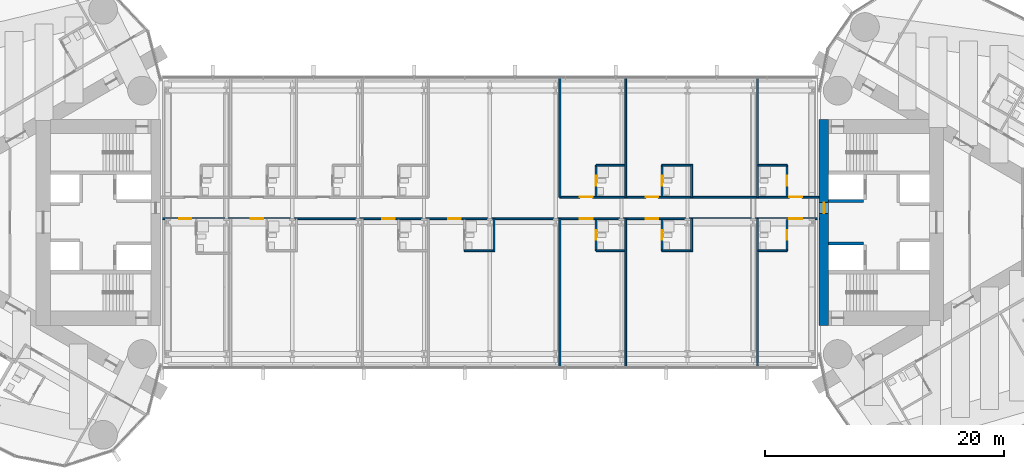
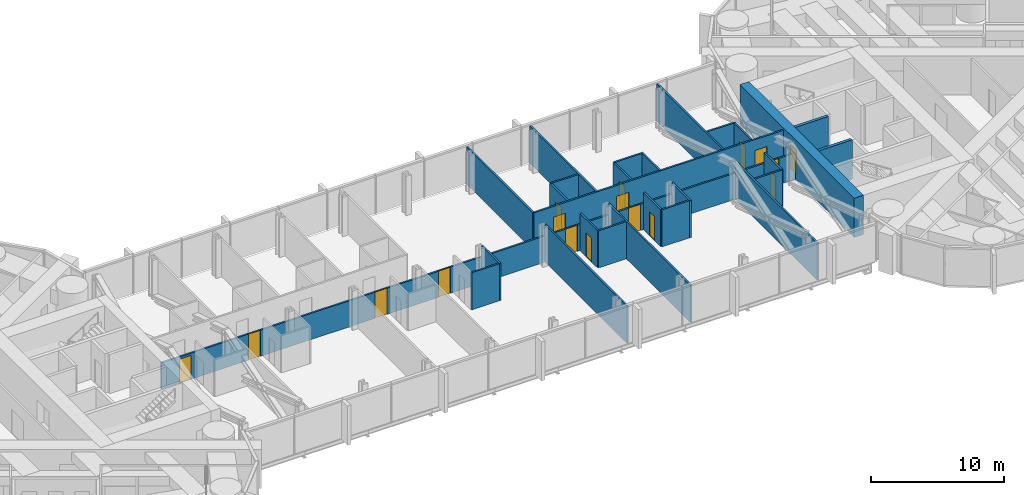
# One storey, part 17 of 22: 27 walls, 17 doors, 17 openings.
"""IFC4 building model written with IfcOpenShell, lengths in metres."""

from ifc_helpers import new_model, si_unit, direction, frame, frame_2d, origin, place, context, subcontext, project, spatial, rectangle, extrude, material, layer, layer_set, type_object, element, fill, save


model = new_model("IFC4")

# Units and contexts
model_context = context("Model", 3, precision=1e-05, world=origin(), true_north=direction((0.0, 1.0)))
body_context = subcontext(model_context, "Body", "Model", "MODEL_VIEW")
ifc_project = project(units=[si_unit("LENGTHUNIT", "METRE"), si_unit("AREAUNIT", "SQUARE_METRE"), si_unit("VOLUMEUNIT", "CUBIC_METRE"), si_unit("PLANEANGLEUNIT", "RADIAN"), si_unit("MASSUNIT", "GRAM", prefix="KILO")], contexts=[model_context])

# Site, building, storey
site_placement = place(None, origin())
site = spatial("IfcSite", under=ifc_project, at=site_placement, CompositionType="ELEMENT")
building_placement = place(site_placement, origin())
building = spatial("IfcBuilding", under=site, at=building_placement, Name="Lancet Gate Hotel", CompositionType="ELEMENT")
storey_placement = place(building_placement, frame((0.0, 0.0, 229.699951171875)))
storey = spatial("IfcBuildingStorey", under=building, at=storey_placement, Name="L61", CompositionType="ELEMENT", Elevation=229.699951171875)

# Walls
ifc_material_1 = material(Name="Moisture resistant board partition")
ifc_layer_1 = layer(ifc_material_1, 0.14990234375)
ifc_layer_set_1 = layer_set([ifc_layer_1], Name="Bathroom wall 150")
wall_type_1 = type_object("IfcWallType", Name="Bathroom wall 150", PredefinedType="PARTITIONING", material=ifc_layer_set_1)
for number, where, z_axis, x_axis, name in (
    (1, (-2.125, -2.375, 0.0), (0.0, 0.0, 1.0), (1.0, 0.0, 0.0), "Bridge block bathroom wall 150 L61"),
    (2, (8.875, -2.375, 0.0), (0.0, 0.0, 1.0), (1.0, 0.0, 0.0), "Bridge block bathroom wall 150 L61"),
):
    element("IfcWall", number, at=place(storey_placement, frame(where, z_axis=z_axis, x_axis=x_axis)), inside=storey, type_object=wall_type_1, Name=name, PredefinedType="PARTITIONING", context=body_context, shape_type="SweptSolid", body=[
        extrude(rectangle(XDim=2.39990234375, YDim=0.14990234375, at=frame_2d((1.199951171875, 0.0))), origin(), (0.0, 0.0, 1.0), 3.400146484375),
    ])

# Wall, opening, door
wall_1_placement = place(storey_placement, frame((8.875, -2.375, 0.0), z_axis=(0.0, 0.0, 1.0), x_axis=(0.0, 1.0, 0.0)))
wall_1 = element("IfcWall", 3, at=wall_1_placement, inside=storey, type_object=wall_type_1, Name="Bridge block bathroom wall 150 L61", PredefinedType="PARTITIONING", context=body_context, shape_type="SweptSolid", body=[
    extrude(rectangle(XDim=2.60009765625, YDim=0.14990234375, at=frame_2d((1.300048828125, 0.0))), origin(), (0.0, 0.0, 1.0), 3.400146484375),
])
opening_1_placement = place(wall_1_placement, frame((0.89990234375, 0.0, 0.0)))
opening_1 = element("IfcOpeningElement", 4, at=opening_1_placement, cuts=wall_1, Name="Opening B6107-B", PredefinedType="OPENING", context=body_context, shape_type="SweptSolid", body=[
    extrude(rectangle(XDim=0.800048828125, YDim=2.199951171875, at=frame_2d((0.39990234375, 1.10009765625))), frame((0.0, 0.0849609375, 0.0), z_axis=(0.0, -1.0, 0.0), x_axis=(1.0, 0.0, 0.0)), (0.0, 0.0, 1.0), 0.169921875),
])
ifc_material_2 = material(Name="Timber door set", Category="wood")
door_type_1 = type_object("IfcDoorType", Name="Bathroom door 800", OperationType="SINGLE_SWING_RIGHT", PredefinedType="DOOR", material=ifc_material_2)
door_1_placement = place(opening_1_placement, origin())
door_1 = element("IfcDoor", 5, at=door_1_placement, inside=storey, type_object=door_type_1, Name="B6107-B", OperationType="SINGLE_SWING_RIGHT", OverallHeight=2.199951171875, OverallWidth=0.800048828125, PredefinedType="DOOR", context=body_context, shape_type="SweptSolid", body=[
    extrude(rectangle(XDim=0.800048828125, YDim=2.199951171875, at=frame_2d((0.39990234375, 1.10009765625))), frame((0.0, 0.02490234375, 0.0), z_axis=(0.0, -1.0, 0.0), x_axis=(1.0, 0.0, 0.0)), (0.0, 0.0, 1.0), 0.050048828125),
])
fill(opening_1, door_1)

# Wall
wall_2_placement = place(storey_placement, frame((14.375, -2.375, 0.0), z_axis=(0.0, 0.0, 1.0), x_axis=(1.0, 0.0, 0.0)))
element("IfcWall", 6, at=wall_2_placement, inside=storey, type_object=wall_type_1, Name="Bridge block bathroom wall 150 L61", PredefinedType="PARTITIONING", context=body_context, shape_type="SweptSolid", body=[
    extrude(rectangle(XDim=2.39990234375, YDim=0.14990234375, at=frame_2d((1.199951171875, 0.0))), origin(), (0.0, 0.0, 1.0), 3.400146484375),
])

# Wall, opening, door
wall_3_placement = place(storey_placement, frame((14.375, -2.375, 0.0), z_axis=(0.0, 0.0, 1.0), x_axis=(0.0, 1.0, 0.0)))
wall_3 = element("IfcWall", 7, at=wall_3_placement, inside=storey, type_object=wall_type_1, Name="Bridge block bathroom wall 150 L61", PredefinedType="PARTITIONING", context=body_context, shape_type="SweptSolid", body=[
    extrude(rectangle(XDim=2.60009765625, YDim=0.14990234375, at=frame_2d((1.300048828125, 0.0))), origin(), (0.0, 0.0, 1.0), 3.400146484375),
])
opening_2_placement = place(wall_3_placement, frame((0.89990234375, 0.0, 0.0)))
opening_2 = element("IfcOpeningElement", 8, at=opening_2_placement, cuts=wall_3, Name="Opening B6108-B", PredefinedType="OPENING", context=body_context, shape_type="SweptSolid", body=[
    extrude(rectangle(XDim=0.800048828125, YDim=2.199951171875, at=frame_2d((0.39990234375, 1.10009765625))), frame((0.0, 0.0849609375, 0.0), z_axis=(0.0, -1.0, 0.0), x_axis=(1.0, 0.0, 0.0)), (0.0, 0.0, 1.0), 0.169921875),
])
door_2_placement = place(opening_2_placement, origin())
door_2 = element("IfcDoor", 9, at=door_2_placement, inside=storey, type_object=door_type_1, Name="B6108-B", OperationType="SINGLE_SWING_RIGHT", OverallHeight=2.199951171875, OverallWidth=0.800048828125, PredefinedType="DOOR", context=body_context, shape_type="SweptSolid", body=[
    extrude(rectangle(XDim=0.800048828125, YDim=2.199951171875, at=frame_2d((0.39990234375, 1.10009765625))), frame((0.0, 0.02490234375, 0.0), z_axis=(0.0, -1.0, 0.0), x_axis=(1.0, 0.0, 0.0)), (0.0, 0.0, 1.0), 0.050048828125),
])
fill(opening_2, door_2)

# Wall
wall_4_placement = place(storey_placement, frame((22.425048828125, -2.375, 0.0), z_axis=(0.0, 0.0, 1.0), x_axis=(1.0, 0.0, 0.0)))
element("IfcWall", 10, at=wall_4_placement, inside=storey, type_object=wall_type_1, Name="Bridge block bathroom wall 150 L61", PredefinedType="PARTITIONING", context=body_context, shape_type="SweptSolid", body=[
    extrude(rectangle(XDim=2.39990234375, YDim=0.14990234375, at=frame_2d((1.199951171875, 0.0))), origin(), (0.0, 0.0, 1.0), 3.400146484375),
])

# Wall, opening, door
wall_5_placement = place(storey_placement, frame((24.824951171875, -2.375, 0.0), z_axis=(0.0, 0.0, 1.0), x_axis=(0.0, 1.0, 0.0)))
wall_5 = element("IfcWall", 11, at=wall_5_placement, inside=storey, type_object=wall_type_1, Name="Bridge block bathroom wall 150 L61", PredefinedType="PARTITIONING", context=body_context, shape_type="SweptSolid", body=[
    extrude(rectangle(XDim=2.60009765625, YDim=0.14990234375, at=frame_2d((1.300048828125, 0.0))), origin(), (0.0, 0.0, 1.0), 3.400146484375),
])
opening_3_placement = place(wall_5_placement, frame((0.89990234375, 0.0, 0.0)))
opening_3 = element("IfcOpeningElement", 12, at=opening_3_placement, cuts=wall_5, Name="Opening B6110-B", PredefinedType="OPENING", context=body_context, shape_type="SweptSolid", body=[
    extrude(rectangle(XDim=0.800048828125, YDim=2.199951171875, at=frame_2d((0.39990234375, 1.10009765625))), frame((0.0, 0.0849609375, 0.0), z_axis=(0.0, -1.0, 0.0), x_axis=(1.0, 0.0, 0.0)), (0.0, 0.0, 1.0), 0.169921875),
])
door_3_placement = place(opening_3_placement, origin())
door_3 = element("IfcDoor", 13, at=door_3_placement, inside=storey, type_object=door_type_1, Name="B6110-B", OperationType="SINGLE_SWING_RIGHT", OverallHeight=2.199951171875, OverallWidth=0.800048828125, PredefinedType="DOOR", context=body_context, shape_type="SweptSolid", body=[
    extrude(rectangle(XDim=0.800048828125, YDim=2.199951171875, at=frame_2d((0.39990234375, 1.10009765625))), frame((0.0, 0.02490234375, 0.0), z_axis=(0.0, -1.0, 0.0), x_axis=(1.0, 0.0, 0.0)), (0.0, 0.0, 1.0), 0.050048828125),
])
fill(opening_3, door_3)

# Wall
wall_6_placement = place(storey_placement, frame((8.875, 4.77490234375, 0.0), z_axis=(0.0, 0.0, 1.0), x_axis=(1.0, 0.0, 0.0)))
element("IfcWall", 14, at=wall_6_placement, inside=storey, type_object=wall_type_1, Name="Bridge block bathroom wall 150 L61", PredefinedType="PARTITIONING", context=body_context, shape_type="SweptSolid", body=[
    extrude(rectangle(XDim=2.39990234375, YDim=0.14990234375, at=frame_2d((1.199951171875, 0.0))), origin(), (0.0, 0.0, 1.0), 3.400146484375),
])

# Wall, opening, door
wall_7_placement = place(storey_placement, frame((8.875, 2.175048828125, 0.0), z_axis=(0.0, 0.0, 1.0), x_axis=(0.0, 1.0, 0.0)))
wall_7 = element("IfcWall", 15, at=wall_7_placement, inside=storey, type_object=wall_type_1, Name="Bridge block bathroom wall 150 L61", PredefinedType="PARTITIONING", context=body_context, shape_type="SweptSolid", body=[
    extrude(rectangle(XDim=2.599853515625, YDim=0.14990234375, at=frame_2d((1.2998046875, 0.0))), origin(), (0.0, 0.0, 1.0), 3.400146484375),
])
opening_4_placement = place(wall_7_placement, frame((0.89990234375, 0.0, 0.0)))
opening_4 = element("IfcOpeningElement", 16, at=opening_4_placement, cuts=wall_7, Name="Opening B6117-B", PredefinedType="OPENING", context=body_context, shape_type="SweptSolid", body=[
    extrude(rectangle(XDim=0.800048828125, YDim=2.199951171875, at=frame_2d((0.39990234375, 1.10009765625))), frame((0.0, 0.0849609375, 0.0), z_axis=(0.0, -1.0, 0.0), x_axis=(1.0, 0.0, 0.0)), (0.0, 0.0, 1.0), 0.169921875),
])
door_4_placement = place(opening_4_placement, origin())
door_4 = element("IfcDoor", 17, at=door_4_placement, inside=storey, type_object=door_type_1, Name="B6117-B", OperationType="SINGLE_SWING_RIGHT", OverallHeight=2.199951171875, OverallWidth=0.800048828125, PredefinedType="DOOR", context=body_context, shape_type="SweptSolid", body=[
    extrude(rectangle(XDim=0.800048828125, YDim=2.199951171875, at=frame_2d((0.39990234375, 1.10009765625))), frame((0.0, 0.02490234375, 0.0), z_axis=(0.0, -1.0, 0.0), x_axis=(1.0, 0.0, 0.0)), (0.0, 0.0, 1.0), 0.050048828125),
])
fill(opening_4, door_4)

# Wall
wall_8_placement = place(storey_placement, frame((14.375, 4.77490234375, 0.0), z_axis=(0.0, 0.0, 1.0), x_axis=(1.0, 0.0, 0.0)))
element("IfcWall", 18, at=wall_8_placement, inside=storey, type_object=wall_type_1, Name="Bridge block bathroom wall 150 L61", PredefinedType="PARTITIONING", context=body_context, shape_type="SweptSolid", body=[
    extrude(rectangle(XDim=2.39990234375, YDim=0.14990234375, at=frame_2d((1.199951171875, 0.0))), origin(), (0.0, 0.0, 1.0), 3.400146484375),
])

# Wall, opening, door
wall_9_placement = place(storey_placement, frame((14.375, 2.175048828125, 0.0), z_axis=(0.0, 0.0, 1.0), x_axis=(0.0, 1.0, 0.0)))
wall_9 = element("IfcWall", 19, at=wall_9_placement, inside=storey, type_object=wall_type_1, Name="Bridge block bathroom wall 150 L61", PredefinedType="PARTITIONING", context=body_context, shape_type="SweptSolid", body=[
    extrude(rectangle(XDim=2.599853515625, YDim=0.14990234375, at=frame_2d((1.2998046875, 0.0))), origin(), (0.0, 0.0, 1.0), 3.400146484375),
])
opening_5_placement = place(wall_9_placement, frame((0.89990234375, 0.0, 0.0)))
opening_5 = element("IfcOpeningElement", 20, at=opening_5_placement, cuts=wall_9, Name="Opening B6118-B", PredefinedType="OPENING", context=body_context, shape_type="SweptSolid", body=[
    extrude(rectangle(XDim=0.800048828125, YDim=2.199951171875, at=frame_2d((0.39990234375, 1.10009765625))), frame((0.0, 0.0849609375, 0.0), z_axis=(0.0, -1.0, 0.0), x_axis=(1.0, 0.0, 0.0)), (0.0, 0.0, 1.0), 0.169921875),
])
door_5_placement = place(opening_5_placement, origin())
door_5 = element("IfcDoor", 21, at=door_5_placement, inside=storey, type_object=door_type_1, Name="B6118-B", OperationType="SINGLE_SWING_RIGHT", OverallHeight=2.199951171875, OverallWidth=0.800048828125, PredefinedType="DOOR", context=body_context, shape_type="SweptSolid", body=[
    extrude(rectangle(XDim=0.800048828125, YDim=2.199951171875, at=frame_2d((0.39990234375, 1.10009765625))), frame((0.0, 0.02490234375, 0.0), z_axis=(0.0, -1.0, 0.0), x_axis=(1.0, 0.0, 0.0)), (0.0, 0.0, 1.0), 0.050048828125),
])
fill(opening_5, door_5)

# Wall
wall_10_placement = place(storey_placement, frame((22.425048828125, 4.77490234375, 0.0), z_axis=(0.0, 0.0, 1.0), x_axis=(1.0, 0.0, 0.0)))
element("IfcWall", 22, at=wall_10_placement, inside=storey, type_object=wall_type_1, Name="Bridge block bathroom wall 150 L61", PredefinedType="PARTITIONING", context=body_context, shape_type="SweptSolid", body=[
    extrude(rectangle(XDim=2.39990234375, YDim=0.14990234375, at=frame_2d((1.199951171875, 0.0))), origin(), (0.0, 0.0, 1.0), 3.400146484375),
])

# Wall, opening, door
wall_11_placement = place(storey_placement, frame((24.824951171875, 2.175048828125, 0.0), z_axis=(0.0, 0.0, 1.0), x_axis=(0.0, 1.0, 0.0)))
wall_11 = element("IfcWall", 23, at=wall_11_placement, inside=storey, type_object=wall_type_1, Name="Bridge block bathroom wall 150 L61", PredefinedType="PARTITIONING", context=body_context, shape_type="SweptSolid", body=[
    extrude(rectangle(XDim=2.599853515625, YDim=0.14990234375, at=frame_2d((1.2998046875, 0.0))), origin(), (0.0, 0.0, 1.0), 3.400146484375),
])
opening_6_placement = place(wall_11_placement, frame((0.89990234375, 0.0, 0.0)))
opening_6 = element("IfcOpeningElement", 24, at=opening_6_placement, cuts=wall_11, Name="Opening B6120-B", PredefinedType="OPENING", context=body_context, shape_type="SweptSolid", body=[
    extrude(rectangle(XDim=0.800048828125, YDim=2.199951171875, at=frame_2d((0.39990234375, 1.10009765625))), frame((0.0, 0.0849609375, 0.0), z_axis=(0.0, -1.0, 0.0), x_axis=(1.0, 0.0, 0.0)), (0.0, 0.0, 1.0), 0.169921875),
])
door_6_placement = place(opening_6_placement, origin())
door_6 = element("IfcDoor", 25, at=door_6_placement, inside=storey, type_object=door_type_1, Name="B6120-B", OperationType="SINGLE_SWING_RIGHT", OverallHeight=2.199951171875, OverallWidth=0.800048828125, PredefinedType="DOOR", context=body_context, shape_type="SweptSolid", body=[
    extrude(rectangle(XDim=0.800048828125, YDim=2.199951171875, at=frame_2d((0.39990234375, 1.10009765625))), frame((0.0, 0.02490234375, 0.0), z_axis=(0.0, -1.0, 0.0), x_axis=(1.0, 0.0, 0.0)), (0.0, 0.0, 1.0), 0.050048828125),
])
fill(opening_6, door_6)

# Wall, openings, doors
ifc_material_3 = material(Name="Gypsum board partition")
ifc_layer_2 = layer(ifc_material_3, 0.14990234375)
ifc_layer_set_2 = layer_set([ifc_layer_2], Name="Block corridor wall 150")
wall_type_2 = type_object("IfcWallType", Name="Block corridor wall 150", PredefinedType="PARTITIONING", material=ifc_layer_set_2)
wall_12_placement = place(storey_placement, frame((-27.5, 0.300048828125, 0.0), z_axis=(0.0, 0.0, 1.0), x_axis=(1.0, 0.0, 0.0)))
wall_12 = element("IfcWall", 26, at=wall_12_placement, inside=storey, type_object=wall_type_2, Name="Bridge block block corridor wall 150 L61", PredefinedType="PARTITIONING", context=body_context, shape_type="SweptSolid", body=[
    extrude(rectangle(XDim=55.0, YDim=0.14990234375, at=frame_2d((27.5, 0.0))), origin(), (0.0, 0.0, 1.0), 2.400146484375),
])
opening_7_placement = place(wall_12_placement, frame((1.574951171875, 0.0, 0.0)))
opening_7 = element("IfcOpeningElement", 27, at=opening_7_placement, cuts=wall_12, Name="Opening B6101", PredefinedType="OPENING", context=body_context, shape_type="SweptSolid", body=[
    extrude(rectangle(XDim=1.0, YDim=2.199951171875, at=frame_2d((0.5, 1.10009765625))), frame((0.0, 0.0849609375, 0.0), z_axis=(0.0, -1.0, 0.0), x_axis=(1.0, 0.0, 0.0)), (0.0, 0.0, 1.0), 0.169921875),
])
opening_8_placement = place(wall_12_placement, frame((7.52490234375, 0.0, 0.0)))
opening_8 = element("IfcOpeningElement", 28, at=opening_8_placement, cuts=wall_12, Name="Opening B6102", PredefinedType="OPENING", context=body_context, shape_type="SweptSolid", body=[
    extrude(rectangle(XDim=1.050048828125, YDim=2.39990234375, at=frame_2d((0.52490234375, 1.199951171875))), frame((0.0, 0.0849609375, 0.0), z_axis=(0.0, -1.0, 0.0), x_axis=(1.0, 0.0, 0.0)), (0.0, 0.0, 1.0), 0.169921875),
])
opening_9_placement = place(wall_12_placement, frame((18.52490234375, 0.0, 0.0)))
opening_9 = element("IfcOpeningElement", 29, at=opening_9_placement, cuts=wall_12, Name="Opening B6104", PredefinedType="OPENING", context=body_context, shape_type="SweptSolid", body=[
    extrude(rectangle(XDim=1.050048828125, YDim=2.39990234375, at=frame_2d((0.52490234375, 1.199951171875))), frame((0.0, 0.0849609375, 0.0), z_axis=(0.0, -1.0, 0.0), x_axis=(1.0, 0.0, 0.0)), (0.0, 0.0, 1.0), 0.169921875),
])
opening_10_placement = place(wall_12_placement, frame((24.02490234375, 0.0, 0.0)))
opening_10 = element("IfcOpeningElement", 30, at=opening_10_placement, cuts=wall_12, Name="Opening B6105", PredefinedType="OPENING", context=body_context, shape_type="SweptSolid", body=[
    extrude(rectangle(XDim=1.050048828125, YDim=2.39990234375, at=frame_2d((0.52490234375, 1.199951171875))), frame((0.0, 0.0849609375, 0.0), z_axis=(0.0, -1.0, 0.0), x_axis=(1.0, 0.0, 0.0)), (0.0, 0.0, 1.0), 0.169921875),
])
opening_11_placement = place(wall_12_placement, frame((35.02490234375, 0.0, 0.0)))
opening_11 = element("IfcOpeningElement", 31, at=opening_11_placement, cuts=wall_12, Name="Opening B6107", PredefinedType="OPENING", context=body_context, shape_type="SweptSolid", body=[
    extrude(rectangle(XDim=1.050048828125, YDim=2.39990234375, at=frame_2d((0.52490234375, 1.199951171875))), frame((0.0, 0.0849609375, 0.0), z_axis=(0.0, -1.0, 0.0), x_axis=(1.0, 0.0, 0.0)), (0.0, 0.0, 1.0), 0.169921875),
])
opening_12_placement = place(wall_12_placement, frame((40.52490234375, 0.0, 0.0)))
opening_12 = element("IfcOpeningElement", 32, at=opening_12_placement, cuts=wall_12, Name="Opening B6108", PredefinedType="OPENING", context=body_context, shape_type="SweptSolid", body=[
    extrude(rectangle(XDim=1.050048828125, YDim=2.39990234375, at=frame_2d((0.52490234375, 1.199951171875))), frame((0.0, 0.0849609375, 0.0), z_axis=(0.0, -1.0, 0.0), x_axis=(1.0, 0.0, 0.0)), (0.0, 0.0, 1.0), 0.169921875),
])
opening_13_placement = place(wall_12_placement, frame((52.52490234375, 0.0, 0.0)))
opening_13 = element("IfcOpeningElement", 33, at=opening_13_placement, cuts=wall_12, Name="Opening B6110", PredefinedType="OPENING", context=body_context, shape_type="SweptSolid", body=[
    extrude(rectangle(XDim=1.050048828125, YDim=2.39990234375, at=frame_2d((0.52490234375, 1.199951171875))), frame((0.0, 0.0849609375, 0.0), z_axis=(0.0, -1.0, 0.0), x_axis=(1.0, 0.0, 0.0)), (0.0, 0.0, 1.0), 0.169921875),
])
ifc_material_4 = material(Name="Timber door set", Category="wood")
door_type_2 = type_object("IfcDoorType", Name="Accessible guest room door 1000", OperationType="SINGLE_SWING_LEFT", PredefinedType="DOOR", material=ifc_material_4)
door_7_placement = place(opening_7_placement, origin())
door_7 = element("IfcDoor", 34, at=door_7_placement, inside=storey, type_object=door_type_2, Name="B6101", OperationType="SINGLE_SWING_LEFT", OverallHeight=2.199951171875, OverallWidth=1.0, PredefinedType="DOOR", context=body_context, shape_type="SweptSolid", body=[
    extrude(rectangle(XDim=1.0, YDim=2.199951171875, at=frame_2d((0.5, 1.10009765625))), frame((0.0, 0.02490234375, 0.0), z_axis=(0.0, -1.0, 0.0), x_axis=(1.0, 0.0, 0.0)), (0.0, 0.0, 1.0), 0.050048828125),
])
fill(opening_7, door_7)
ifc_material_5 = material(Name="Timber door set", Category="wood")
door_type_3 = type_object("IfcDoorType", Name="Suite entry door 1050", OperationType="SINGLE_SWING_LEFT", PredefinedType="DOOR", material=ifc_material_5)
door_8_placement = place(opening_8_placement, origin())
door_8 = element("IfcDoor", 35, at=door_8_placement, inside=storey, type_object=door_type_3, Name="B6102", OperationType="SINGLE_SWING_LEFT", OverallHeight=2.39990234375, OverallWidth=1.050048828125, PredefinedType="DOOR", context=body_context, shape_type="SweptSolid", body=[
    extrude(rectangle(XDim=1.050048828125, YDim=2.39990234375, at=frame_2d((0.52490234375, 1.199951171875))), frame((0.0, 0.02490234375, 0.0), z_axis=(0.0, -1.0, 0.0), x_axis=(1.0, 0.0, 0.0)), (0.0, 0.0, 1.0), 0.050048828125),
])
fill(opening_8, door_8)
door_9_placement = place(opening_9_placement, origin())
door_9 = element("IfcDoor", 36, at=door_9_placement, inside=storey, type_object=door_type_3, Name="B6104", OperationType="SINGLE_SWING_LEFT", OverallHeight=2.39990234375, OverallWidth=1.050048828125, PredefinedType="DOOR", context=body_context, shape_type="SweptSolid", body=[
    extrude(rectangle(XDim=1.050048828125, YDim=2.39990234375, at=frame_2d((0.52490234375, 1.199951171875))), frame((0.0, 0.02490234375, 0.0), z_axis=(0.0, -1.0, 0.0), x_axis=(1.0, 0.0, 0.0)), (0.0, 0.0, 1.0), 0.050048828125),
])
fill(opening_9, door_9)
door_10_placement = place(opening_10_placement, origin())
door_10 = element("IfcDoor", 37, at=door_10_placement, inside=storey, type_object=door_type_3, Name="B6105", OperationType="SINGLE_SWING_LEFT", OverallHeight=2.39990234375, OverallWidth=1.050048828125, PredefinedType="DOOR", context=body_context, shape_type="SweptSolid", body=[
    extrude(rectangle(XDim=1.050048828125, YDim=2.39990234375, at=frame_2d((0.52490234375, 1.199951171875))), frame((0.0, 0.02490234375, 0.0), z_axis=(0.0, -1.0, 0.0), x_axis=(1.0, 0.0, 0.0)), (0.0, 0.0, 1.0), 0.050048828125),
])
fill(opening_10, door_10)
door_11_placement = place(opening_11_placement, origin())
door_11 = element("IfcDoor", 38, at=door_11_placement, inside=storey, type_object=door_type_3, Name="B6107", OperationType="SINGLE_SWING_LEFT", OverallHeight=2.39990234375, OverallWidth=1.050048828125, PredefinedType="DOOR", context=body_context, shape_type="SweptSolid", body=[
    extrude(rectangle(XDim=1.050048828125, YDim=2.39990234375, at=frame_2d((0.52490234375, 1.199951171875))), frame((0.0, 0.02490234375, 0.0), z_axis=(0.0, -1.0, 0.0), x_axis=(1.0, 0.0, 0.0)), (0.0, 0.0, 1.0), 0.050048828125),
])
fill(opening_11, door_11)
door_12_placement = place(opening_12_placement, origin())
door_12 = element("IfcDoor", 39, at=door_12_placement, inside=storey, type_object=door_type_3, Name="B6108", OperationType="SINGLE_SWING_LEFT", OverallHeight=2.39990234375, OverallWidth=1.050048828125, PredefinedType="DOOR", context=body_context, shape_type="SweptSolid", body=[
    extrude(rectangle(XDim=1.050048828125, YDim=2.39990234375, at=frame_2d((0.52490234375, 1.199951171875))), frame((0.0, 0.02490234375, 0.0), z_axis=(0.0, -1.0, 0.0), x_axis=(1.0, 0.0, 0.0)), (0.0, 0.0, 1.0), 0.050048828125),
])
fill(opening_12, door_12)
door_13_placement = place(opening_13_placement, origin())
door_13 = element("IfcDoor", 40, at=door_13_placement, inside=storey, type_object=door_type_3, Name="B6110", OperationType="SINGLE_SWING_LEFT", OverallHeight=2.39990234375, OverallWidth=1.050048828125, PredefinedType="DOOR", context=body_context, shape_type="SweptSolid", body=[
    extrude(rectangle(XDim=1.050048828125, YDim=2.39990234375, at=frame_2d((0.52490234375, 1.199951171875))), frame((0.0, 0.02490234375, 0.0), z_axis=(0.0, -1.0, 0.0), x_axis=(1.0, 0.0, 0.0)), (0.0, 0.0, 1.0), 0.050048828125),
])
fill(opening_13, door_13)

wall_13_placement = place(storey_placement, frame((5.85009765625, 2.10009765625, 0.0), z_axis=(0.0, 0.0, 1.0), x_axis=(1.0, 0.0, 0.0)))
wall_13 = element("IfcWall", 41, at=wall_13_placement, inside=storey, type_object=wall_type_2, Name="Bridge block block corridor wall 150 L61", PredefinedType="PARTITIONING", context=body_context, shape_type="SweptSolid", body=[
    extrude(rectangle(XDim=21.64990234375, YDim=0.14990234375, at=frame_2d((10.824951171875, 0.0))), origin(), (0.0, 0.0, 1.0), 3.400146484375),
])
opening_14_placement = place(wall_13_placement, frame((1.675048828125, 0.0, 0.0)))
opening_14 = element("IfcOpeningElement", 42, at=opening_14_placement, cuts=wall_13, Name="Opening B6117", PredefinedType="OPENING", context=body_context, shape_type="SweptSolid", body=[
    extrude(rectangle(XDim=1.050048828125, YDim=2.39990234375, at=frame_2d((0.52490234375, 1.199951171875))), frame((0.0, 0.0849609375, 0.0), z_axis=(0.0, -1.0, 0.0), x_axis=(1.0, 0.0, 0.0)), (0.0, 0.0, 1.0), 0.169921875),
])
opening_15_placement = place(wall_13_placement, frame((7.175048828125, 0.0, 0.0)))
opening_15 = element("IfcOpeningElement", 43, at=opening_15_placement, cuts=wall_13, Name="Opening B6118", PredefinedType="OPENING", context=body_context, shape_type="SweptSolid", body=[
    extrude(rectangle(XDim=1.050048828125, YDim=2.39990234375, at=frame_2d((0.52490234375, 1.199951171875))), frame((0.0, 0.0849609375, 0.0), z_axis=(0.0, -1.0, 0.0), x_axis=(1.0, 0.0, 0.0)), (0.0, 0.0, 1.0), 0.169921875),
])
opening_16_placement = place(wall_13_placement, frame((19.175048828125, 0.0, 0.0)))
opening_16 = element("IfcOpeningElement", 44, at=opening_16_placement, cuts=wall_13, Name="Opening B6120", PredefinedType="OPENING", context=body_context, shape_type="SweptSolid", body=[
    extrude(rectangle(XDim=1.050048828125, YDim=2.39990234375, at=frame_2d((0.52490234375, 1.199951171875))), frame((0.0, 0.0849609375, 0.0), z_axis=(0.0, -1.0, 0.0), x_axis=(1.0, 0.0, 0.0)), (0.0, 0.0, 1.0), 0.169921875),
])
door_14_placement = place(opening_14_placement, origin())
door_14 = element("IfcDoor", 45, at=door_14_placement, inside=storey, type_object=door_type_3, Name="B6117", OperationType="SINGLE_SWING_LEFT", OverallHeight=2.39990234375, OverallWidth=1.050048828125, PredefinedType="DOOR", context=body_context, shape_type="SweptSolid", body=[
    extrude(rectangle(XDim=1.050048828125, YDim=2.39990234375, at=frame_2d((0.52490234375, 1.199951171875))), frame((0.0, 0.02490234375, 0.0), z_axis=(0.0, -1.0, 0.0), x_axis=(1.0, 0.0, 0.0)), (0.0, 0.0, 1.0), 0.050048828125),
])
fill(opening_14, door_14)
door_15_placement = place(opening_15_placement, origin())
door_15 = element("IfcDoor", 46, at=door_15_placement, inside=storey, type_object=door_type_3, Name="B6118", OperationType="SINGLE_SWING_LEFT", OverallHeight=2.39990234375, OverallWidth=1.050048828125, PredefinedType="DOOR", context=body_context, shape_type="SweptSolid", body=[
    extrude(rectangle(XDim=1.050048828125, YDim=2.39990234375, at=frame_2d((0.52490234375, 1.199951171875))), frame((0.0, 0.02490234375, 0.0), z_axis=(0.0, -1.0, 0.0), x_axis=(1.0, 0.0, 0.0)), (0.0, 0.0, 1.0), 0.050048828125),
])
fill(opening_15, door_15)
door_16_placement = place(opening_16_placement, origin())
door_16 = element("IfcDoor", 47, at=door_16_placement, inside=storey, type_object=door_type_3, Name="B6120", OperationType="SINGLE_SWING_LEFT", OverallHeight=2.39990234375, OverallWidth=1.050048828125, PredefinedType="DOOR", context=body_context, shape_type="SweptSolid", body=[
    extrude(rectangle(XDim=1.050048828125, YDim=2.39990234375, at=frame_2d((0.52490234375, 1.199951171875))), frame((0.0, 0.02490234375, 0.0), z_axis=(0.0, -1.0, 0.0), x_axis=(1.0, 0.0, 0.0)), (0.0, 0.0, 1.0), 0.050048828125),
])
fill(opening_16, door_16)

# Wall, opening, door
ifc_material_6 = material(Name="Concrete C70/85", Category="concrete")
ifc_layer_3 = layer(ifc_material_6, 0.800048828125)
ifc_layer_set_3 = layer_set([ifc_layer_3], Name="Core wall 800")
wall_type_3 = type_object("IfcWallType", Name="Core wall 800", PredefinedType="SHEAR", material=ifc_layer_set_3)
wall_14_placement = place(storey_placement, frame((27.89990234375, -8.60009765625, 0.0), z_axis=(0.0, 0.0, 1.0), x_axis=(0.0, 1.0, 0.0)))
wall_14 = element("IfcWall", 48, at=wall_14_placement, inside=storey, type_object=wall_type_3, Name="T2 core wall front L61", PredefinedType="SHEAR", context=body_context, shape_type="SweptSolid", body=[
    extrude(rectangle(XDim=17.2001953125, YDim=0.800048828125, at=frame_2d((8.60009765625, 0.0))), origin(), (0.0, 0.0, 1.0), 3.60009765625),
])
opening_17_placement = place(wall_14_placement, frame((9.35009765625, 0.0, 0.0)))
opening_17 = element("IfcOpeningElement", 49, at=opening_17_placement, cuts=wall_14, Name="Opening T2-L61-BR", PredefinedType="OPENING", context=body_context, shape_type="SweptSolid", body=[
    extrude(rectangle(XDim=0.89990234375, YDim=2.199951171875, at=frame_2d((0.449951171875, 1.10009765625))), frame((0.0, 0.409912109375, 0.0), z_axis=(0.0, -1.0, 0.0), x_axis=(1.0, 0.0, 0.0)), (0.0, 0.0, 1.0), 0.820068359375),
])
ifc_material_7 = material(Name="Steel door set", Category="steel")
door_type_4 = type_object("IfcDoorType", Name="Bridge fire door 900", OperationType="SINGLE_SWING_LEFT", PredefinedType="DOOR", material=ifc_material_7)
door_17_placement = place(opening_17_placement, origin())
door_17 = element("IfcDoor", 50, at=door_17_placement, inside=storey, type_object=door_type_4, Name="T2-L61-BR", OperationType="SINGLE_SWING_LEFT", OverallHeight=2.199951171875, OverallWidth=0.89990234375, PredefinedType="DOOR", context=body_context, shape_type="SweptSolid", body=[
    extrude(rectangle(XDim=0.89990234375, YDim=2.199951171875, at=frame_2d((0.449951171875, 1.10009765625))), frame((0.0, 0.02490234375, 0.0), z_axis=(0.0, -1.0, 0.0), x_axis=(1.0, 0.0, 0.0)), (0.0, 0.0, 1.0), 0.050048828125),
])
fill(opening_17, door_17)

# Walls
ifc_material_8 = material(Name="Concrete C50/60", Category="concrete")
ifc_layer_4 = layer(ifc_material_8, 0.25)
ifc_layer_set_4 = layer_set([ifc_layer_4], Name="Lift shaft wall 250")
wall_type_4 = type_object("IfcWallType", Name="Lift shaft wall 250", PredefinedType="SHEAR", material=ifc_layer_set_4)
for number, where, z_axis, x_axis, name in (
    (51, (28.300048828125, -1.77490234375, 0.0), (0.0, 0.0, 1.0), (1.0, 0.0, 0.0), "T2 core wall pass1-S L61"),
    (52, (28.300048828125, 1.77490234375, 0.0), (0.0, 0.0, 1.0), (1.0, 0.0, 0.0), "T2 core wall pass1-N L61"),
):
    element("IfcWall", number, at=place(storey_placement, frame(where, z_axis=z_axis, x_axis=x_axis)), inside=storey, type_object=wall_type_4, Name=name, PredefinedType="SHEAR", context=body_context, shape_type="SweptSolid", body=[
        extrude(rectangle(XDim=2.89990234375, YDim=0.25, at=frame_2d((1.449951171875, 0.0))), origin(), (0.0, 0.0, 1.0), 3.60009765625),
    ])
ifc_material_9 = material(Name="Gypsum board partition")
ifc_layer_5 = layer(ifc_material_9, 0.14990234375)
ifc_layer_set_5 = layer_set([ifc_layer_5], Name="Party wall 150")
wall_type_5 = type_object("IfcWallType", Name="Party wall 150", PredefinedType="PARTITIONING", material=ifc_layer_set_5)
for number, where, z_axis, x_axis, name in (
    (53, (5.85009765625, -12.070068359375, 0.0), (0.0, 0.0, 1.0), (0.0, 1.0, 0.0), "Bridge block party wall 150 L61"),
    (54, (11.35009765625, -12.070068359375, 0.0), (0.0, 0.0, 1.0), (0.0, 1.0, 0.0), "Bridge block party wall 150 L61"),
    (55, (22.35009765625, -12.070068359375, 0.0), (0.0, 0.0, 1.0), (0.0, 1.0, 0.0), "Bridge block party wall 150 L61"),
):
    element("IfcWall", number, at=place(storey_placement, frame(where, z_axis=z_axis, x_axis=x_axis)), inside=storey, type_object=wall_type_5, Name=name, PredefinedType="PARTITIONING", context=body_context, shape_type="SweptSolid", body=[
        extrude(rectangle(XDim=12.3701171875, YDim=0.14990234375, at=frame_2d((6.18505859375, 0.0))), origin(), (0.0, 0.0, 1.0), 3.400146484375),
    ])
for number, where, z_axis, x_axis, name in (
    (56, (5.85009765625, 2.10009765625, 0.0), (0.0, 0.0, 1.0), (0.0, 1.0, 0.0), "Bridge block party wall 150 L61"),
    (57, (11.35009765625, 2.10009765625, 0.0), (0.0, 0.0, 1.0), (0.0, 1.0, 0.0), "Bridge block party wall 150 L61"),
    (58, (22.35009765625, 2.10009765625, 0.0), (0.0, 0.0, 1.0), (0.0, 1.0, 0.0), "Bridge block party wall 150 L61"),
):
    element("IfcWall", number, at=place(storey_placement, frame(where, z_axis=z_axis, x_axis=x_axis)), inside=storey, type_object=wall_type_5, Name=name, PredefinedType="PARTITIONING", context=body_context, shape_type="SweptSolid", body=[
        extrude(rectangle(XDim=9.969970703125, YDim=0.14990234375, at=frame_2d((4.98486328125, 0.0))), origin(), (0.0, 0.0, 1.0), 3.400146484375),
    ])
for number, where, z_axis, x_axis, name in (
    (59, (0.35009765625, -2.449951171875, 0.0), (0.0, 0.0, 1.0), (0.0, 1.0, 0.0), "Bridge block party wall 150 L61"),
    (60, (16.85009765625, -2.449951171875, 0.0), (0.0, 0.0, 1.0), (0.0, 1.0, 0.0), "Bridge block party wall 150 L61"),
    (61, (16.85009765625, 2.10009765625, 0.0), (0.0, 0.0, 1.0), (0.0, 1.0, 0.0), "Bridge block party wall 150 L61"),
):
    element("IfcWall", number, at=place(storey_placement, frame(where, z_axis=z_axis, x_axis=x_axis)), inside=storey, type_object=wall_type_5, Name=name, PredefinedType="PARTITIONING", context=body_context, shape_type="SweptSolid", body=[
        extrude(rectangle(XDim=2.75, YDim=0.14990234375, at=frame_2d((1.375, 0.0))), origin(), (0.0, 0.0, 1.0), 3.400146484375),
    ])

save(model, "model.ifc")
